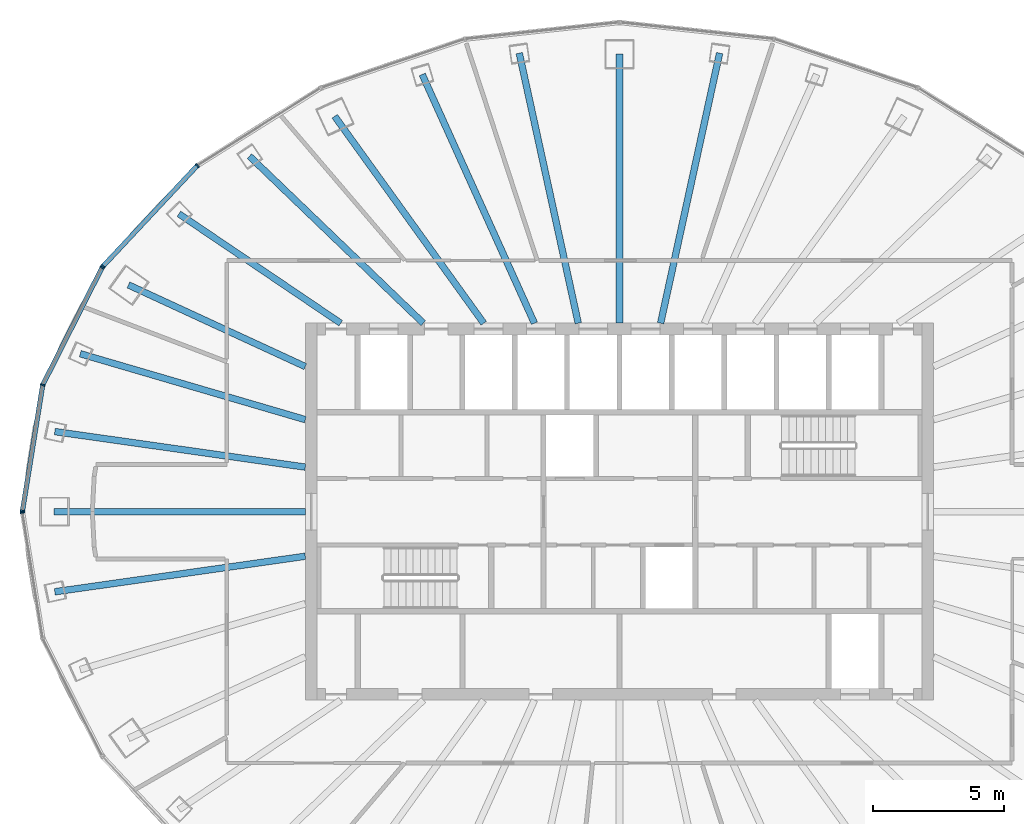
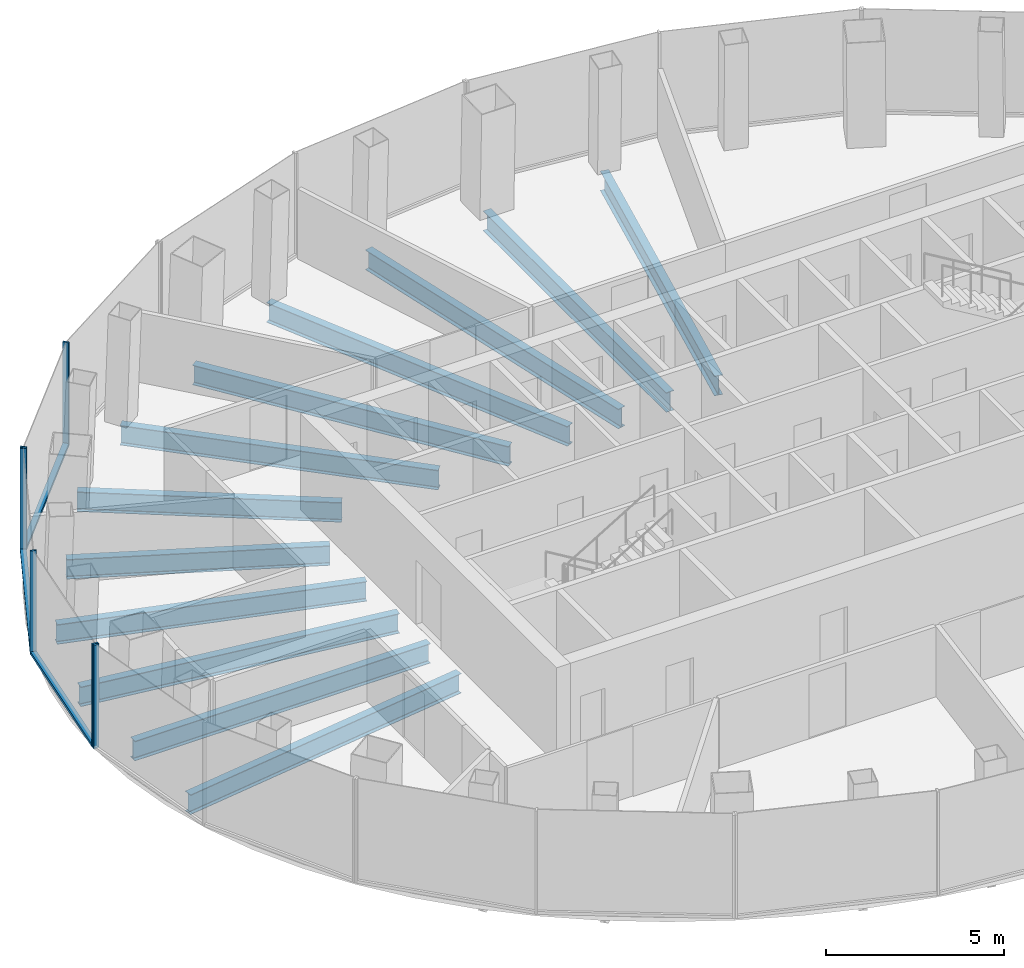
# One storey, part 4 of 11: 12 beams, 9 members, 3 elements without a shape of their own.
"""IFC4 building model written with IfcOpenShell, lengths in metres."""

from ifc_helpers import new_model, si_unit, direction, frame, origin, origin_2d, place, context, subcontext, project, spatial, rectangle, i_section, extrude, material, layer, layer_set, material_profile, profile_set, type_object, element, aggregate, save


model = new_model("IFC4")

# Units and contexts
model_context = context("Model", 3, precision=1e-05, world=origin(), true_north=direction((0.0, 1.0)))
body_context = subcontext(model_context, "Body", "Model", "MODEL_VIEW")
ifc_project = project(units=[si_unit("LENGTHUNIT", "METRE"), si_unit("AREAUNIT", "SQUARE_METRE"), si_unit("VOLUMEUNIT", "CUBIC_METRE"), si_unit("PLANEANGLEUNIT", "RADIAN"), si_unit("MASSUNIT", "GRAM", prefix="KILO")], contexts=[model_context])

# Site, building, storey
site_placement = place(None, origin())
site = spatial("IfcSite", under=ifc_project, at=site_placement, CompositionType="ELEMENT")
building_placement = place(site_placement, origin())
building = spatial("IfcBuilding", under=site, at=building_placement, Name="Siaravel Broadcast Tower", CompositionType="ELEMENT")
storey_placement = place(building_placement, frame((0.0, 0.0, 197.800048828125)))
storey = spatial("IfcBuildingStorey", under=building, at=storey_placement, Name="L48", CompositionType="ELEMENT", Elevation=197.800048828125)

# Beams
ifc_material_1 = material(Name="Steel S355", Category="steel")
ifc_material_profile_1 = material_profile(ifc_material_1, i_section(OverallWidth=0.2529296875, OverallDepth=0.677978515625, WebThickness=0.01171875, FlangeThickness=0.01611328125, FilletRadius=0.01513671875, at=origin_2d()))
ifc_profile_set_1 = profile_set([ifc_material_profile_1], Name="Steel S355")
beam_type = type_object("IfcBeamType", Name="BM-UB 686x254x125", PredefinedType="BEAM", material=ifc_profile_set_1)
beam_1_placement = place(storey_placement, frame((3.826904296875, 17.5166015625, -0.489013671875), z_axis=(-0.213438313, -0.976956543, 0.0), x_axis=(0.976956543, -0.213438313, 0.0)))
element("IfcBeam", 1, at=beam_1_placement, inside=storey, type_object=beam_type, Name="Radial beam RB09", PredefinedType="BEAM", context=body_context, shape_type="SweptSolid", body=[
    extrude(i_section(OverallWidth=0.2529296875, OverallDepth=0.677978515625, WebThickness=0.01171875, FlangeThickness=0.01611328125, FilletRadius=0.01513671875, at=origin_2d()), origin(), (0.0, 0.0, 1.0), 10.56005859375),
])
beam_2_placement = place(storey_placement, frame((0.0, 17.49072265625, -0.489013671875), z_axis=(0.0, -1.0, 0.0), x_axis=(1.0, 0.0, 0.0)))
element("IfcBeam", 2, at=beam_2_placement, inside=storey, type_object=beam_type, Name="Radial beam RB10", PredefinedType="BEAM", context=body_context, shape_type="SweptSolid", body=[
    extrude(i_section(OverallWidth=0.2529296875, OverallDepth=0.677978515625, WebThickness=0.01171875, FlangeThickness=0.01611328125, FilletRadius=0.01513671875, at=origin_2d()), origin(), (0.0, 0.0, 1.0), 10.290771484375),
])
beam_3_placement = place(storey_placement, frame((-3.826904296875, 17.5166015625, -0.489013671875), z_axis=(0.213438313, -0.976956543, 0.0), x_axis=(0.976956543, 0.213438313, 0.0)))
element("IfcBeam", 3, at=beam_3_placement, inside=storey, type_object=beam_type, Name="Radial beam RB11", PredefinedType="BEAM", context=body_context, shape_type="SweptSolid", body=[
    extrude(i_section(OverallWidth=0.2529296875, OverallDepth=0.677978515625, WebThickness=0.01171875, FlangeThickness=0.01611328125, FilletRadius=0.01513671875, at=origin_2d()), origin(), (0.0, 0.0, 1.0), 10.56005859375),
])
beam_4_placement = place(storey_placement, frame((-7.533935546875, 16.702880859375, -0.489013671875), z_axis=(0.411166898, -0.911560081, 0.0), x_axis=(0.911560081, 0.411166898, 0.0)))
element("IfcBeam", 4, at=beam_4_placement, inside=storey, type_object=beam_type, Name="Radial beam RB12", PredefinedType="BEAM", context=body_context, shape_type="SweptSolid", body=[
    extrude(i_section(OverallWidth=0.2529296875, OverallDepth=0.677978515625, WebThickness=0.01171875, FlangeThickness=0.01611328125, FilletRadius=0.01513671875, at=origin_2d()), origin(), (0.0, 0.0, 1.0), 10.4248046875),
])
beam_5_placement = place(storey_placement, frame((-10.8779296875, 15.105712890625, -0.489013671875), z_axis=(0.58437008, -0.811487282, 0.0), x_axis=(0.811487282, 0.58437008, 0.0)))
element("IfcBeam", 5, at=beam_5_placement, inside=storey, type_object=beam_type, Name="Radial beam RB13", PredefinedType="BEAM", context=body_context, shape_type="SweptSolid", body=[
    extrude(i_section(OverallWidth=0.2529296875, OverallDepth=0.677978515625, WebThickness=0.01171875, FlangeThickness=0.01611328125, FilletRadius=0.01513671875, at=origin_2d()), origin(), (0.0, 0.0, 1.0), 9.742431640625),
])
beam_6_placement = place(storey_placement, frame((-14.1357421875, 13.58203125, -0.489013671875), z_axis=(0.721092248, -0.692839065, 0.0), x_axis=(0.692839065, 0.721092248, 0.0)))
element("IfcBeam", 6, at=beam_6_placement, inside=storey, type_object=beam_type, Name="Radial beam RB14", PredefinedType="BEAM", context=body_context, shape_type="SweptSolid", body=[
    extrude(i_section(OverallWidth=0.2529296875, OverallDepth=0.677978515625, WebThickness=0.01171875, FlangeThickness=0.01611328125, FilletRadius=0.01513671875, at=origin_2d()), origin(), (0.0, 0.0, 1.0), 9.21142578125),
])
beam_7_placement = place(storey_placement, frame((-16.827392578125, 11.37744140625, -0.489013671875), z_axis=(0.828411629, -0.560119784, 0.0), x_axis=(0.560119784, 0.828411629, 0.0)))
element("IfcBeam", 7, at=beam_7_placement, inside=storey, type_object=beam_type, Name="Radial beam RB15", PredefinedType="BEAM", context=body_context, shape_type="SweptSolid", body=[
    extrude(i_section(OverallWidth=0.2529296875, OverallDepth=0.677978515625, WebThickness=0.01171875, FlangeThickness=0.01611328125, FilletRadius=0.01513671875, at=origin_2d()), origin(), (0.0, 0.0, 1.0), 7.458251953125),
])
beam_8_placement = place(storey_placement, frame((-18.75634765625, 8.66162109375, -0.489013671875), z_axis=(0.907867186, -0.419257883, 0.0), x_axis=(0.419257883, 0.907867186, 0.0)))
element("IfcBeam", 8, at=beam_8_placement, inside=storey, type_object=beam_type, Name="Radial beam RB16", PredefinedType="BEAM", context=body_context, shape_type="SweptSolid", body=[
    extrude(i_section(OverallWidth=0.2529296875, OverallDepth=0.677978515625, WebThickness=0.01171875, FlangeThickness=0.01611328125, FilletRadius=0.01513671875, at=origin_2d()), origin(), (0.0, 0.0, 1.0), 7.44189453125),
])
beam_9_placement = place(storey_placement, frame((-20.596435546875, 6.03369140625, -0.489013671875), z_axis=(0.959668741, -0.281133256, 0.0), x_axis=(0.281133256, 0.959668741, 0.0)))
element("IfcBeam", 9, at=beam_9_placement, inside=storey, type_object=beam_type, Name="Radial beam RB17", PredefinedType="BEAM", context=body_context, shape_type="SweptSolid", body=[
    extrude(i_section(OverallWidth=0.2529296875, OverallDepth=0.677978515625, WebThickness=0.01171875, FlangeThickness=0.01611328125, FilletRadius=0.01513671875, at=origin_2d()), origin(), (0.0, 0.0, 1.0), 8.957763671875),
])
beam_10_placement = place(storey_placement, frame((-21.5693359375, 3.059814453125, -0.489013671875), z_axis=(0.990088447, -0.140445244, 0.0), x_axis=(0.140445244, 0.990088447, 0.0)))
element("IfcBeam", 10, at=beam_10_placement, inside=storey, type_object=beam_type, Name="Radial beam RB18", PredefinedType="BEAM", context=body_context, shape_type="SweptSolid", body=[
    extrude(i_section(OverallWidth=0.2529296875, OverallDepth=0.677978515625, WebThickness=0.01171875, FlangeThickness=0.01611328125, FilletRadius=0.01513671875, at=origin_2d()), origin(), (0.0, 0.0, 1.0), 9.6650390625),
])
beam_11_placement = place(storey_placement, frame((-21.59619140625, 0.0, -0.489013671875), z_axis=(1.0, 0.0, 0.0), x_axis=(0.0, 1.0, 0.0)))
element("IfcBeam", 11, at=beam_11_placement, inside=storey, type_object=beam_type, Name="Radial beam RB19", PredefinedType="BEAM", context=body_context, shape_type="SweptSolid", body=[
    extrude(i_section(OverallWidth=0.2529296875, OverallDepth=0.677978515625, WebThickness=0.01171875, FlangeThickness=0.01611328125, FilletRadius=0.01513671875, at=origin_2d()), origin(), (0.0, 0.0, 1.0), 9.59619140625),
])
beam_12_placement = place(storey_placement, frame((-21.5693359375, -3.059814453125, -0.489013671875), z_axis=(0.990088447, 0.140445244, 0.0), x_axis=(-0.140445244, 0.990088447, 0.0)))
element("IfcBeam", 12, at=beam_12_placement, inside=storey, type_object=beam_type, Name="Radial beam RB20", PredefinedType="BEAM", context=body_context, shape_type="SweptSolid", body=[
    extrude(i_section(OverallWidth=0.2529296875, OverallDepth=0.677978515625, WebThickness=0.01171875, FlangeThickness=0.01611328125, FilletRadius=0.01513671875, at=origin_2d()), origin(), (0.0, 0.0, 1.0), 9.6650390625),
])

# Curtain wall, members
ifc_material_2 = material(Name="Aluminium 6063-T6", Category="aluminium")
ifc_layer = layer(ifc_material_2, 0.179931640625)
ifc_layer_set = layer_set([ifc_layer], Name="Aluminium 6063-T6")
curtain_wall_type = type_object("IfcCurtainWallType", Name="Unitised curtain wall, zone 3", PredefinedType="NOTDEFINED", material=ifc_layer_set)
curtain_wall_1_placement = place(storey_placement, origin())
curtain_wall_1 = element("IfcCurtainWall", 13, at=curtain_wall_1_placement, inside=storey, type_object=curtain_wall_type, Name="L48 Unitised curtain wall, zone 3 05", PredefinedType="NOTDEFINED")
ifc_material_profile_2 = material_profile(ifc_material_2, rectangle(XDim=0.179931640625, YDim=0.06005859375, at=origin_2d()))
ifc_profile_set_2 = profile_set([ifc_material_profile_2], Name="Aluminium 6063-T6")
member_type_1 = type_object("IfcMemberType", Name="CW-Z3 mullion", PredefinedType="MULLION", material=ifc_profile_set_2)
member_1_placement = place(storey_placement, frame((-16.12548828125, 13.221435546875, 0.0), z_axis=(0.0, 0.0, 1.0), x_axis=(0.636218507, -0.771508918, 0.0)))
member_1 = element("IfcMember", 14, at=member_1_placement, type_object=member_type_1, Name="CW-Z3 mullion 2", PredefinedType="MULLION", context=body_context, shape_type="SweptSolid", body=[
    extrude(rectangle(XDim=0.179931640625, YDim=0.06005859375, at=origin_2d()), origin(), (0.0, 0.0, 1.0), 3.550048828125),
])
member_2_placement = place(storey_placement, frame((-19.7314453125, 9.372314453125, 0.0), z_axis=(0.0, 0.0, 1.0), x_axis=(0.729805157, -0.6836552, 0.0)))
member_2 = element("IfcMember", 15, at=member_2_placement, type_object=member_type_1, Name="CW-Z3 mullion 3", PredefinedType="MULLION", context=body_context, shape_type="SweptSolid", body=[
    extrude(rectangle(XDim=0.179931640625, YDim=0.06005859375, at=origin_2d()), origin(), (0.0, 0.0, 1.0), 3.550048828125),
])

curtain_wall_2_placement = place(storey_placement, origin())
curtain_wall_2 = element("IfcCurtainWall", 16, at=curtain_wall_2_placement, inside=storey, type_object=curtain_wall_type, Name="L48 Unitised curtain wall, zone 3 06", PredefinedType="NOTDEFINED")
member_3_placement = place(storey_placement, frame((-19.765380859375, 9.323486328125, 0.0), z_axis=(0.0, 0.0, 1.0), x_axis=(0.892392092, -0.45126085, 0.0)))
member_3 = element("IfcMember", 17, at=member_3_placement, type_object=member_type_1, Name="CW-Z3 mullion 1", PredefinedType="MULLION", context=body_context, shape_type="SweptSolid", body=[
    extrude(rectangle(XDim=0.179931640625, YDim=0.06005859375, at=origin_2d()), origin(), (0.0, 0.0, 1.0), 3.550048828125),
])
member_4_placement = place(storey_placement, frame((-22.0322265625, 4.8408203125, 0.0), z_axis=(0.0, 0.0, 1.0), x_axis=(0.951177224, -0.308645247, 0.0)))
member_4 = element("IfcMember", 18, at=member_4_placement, type_object=member_type_1, Name="CW-Z3 mullion 2", PredefinedType="MULLION", context=body_context, shape_type="SweptSolid", body=[
    extrude(rectangle(XDim=0.179931640625, YDim=0.06005859375, at=origin_2d()), origin(), (0.0, 0.0, 1.0), 3.550048828125),
])
member_5_placement = place(storey_placement, frame((-22.805419921875, 0.029541015625, 0.0), z_axis=(0.0, 0.0, 1.0), x_axis=(0.987329188, -0.158685461, 0.0)))
member_5 = element("IfcMember", 19, at=member_5_placement, type_object=member_type_1, Name="CW-Z3 mullion 3", PredefinedType="MULLION", context=body_context, shape_type="SweptSolid", body=[
    extrude(rectangle(XDim=0.179931640625, YDim=0.06005859375, at=origin_2d()), origin(), (0.0, 0.0, 1.0), 3.550048828125),
])

# Curtain wall, member
curtain_wall_3_placement = place(storey_placement, origin())
curtain_wall_3 = element("IfcCurtainWall", 20, at=curtain_wall_3_placement, inside=storey, type_object=curtain_wall_type, Name="L48 Unitised curtain wall, zone 3 07", PredefinedType="NOTDEFINED")
member_6_placement = place(storey_placement, frame((-22.805419921875, -0.029541015625, 0.0), z_axis=(0.0, 0.0, 1.0), x_axis=(0.987329188, 0.158685461, 0.0)))
member_6 = element("IfcMember", 21, at=member_6_placement, type_object=member_type_1, Name="CW-Z3 mullion 1", PredefinedType="MULLION", context=body_context, shape_type="SweptSolid", body=[
    extrude(rectangle(XDim=0.179931640625, YDim=0.06005859375, at=origin_2d()), origin(), (0.0, 0.0, 1.0), 3.550048828125),
])
aggregate(curtain_wall_3, [member_6])

# Member
ifc_material_profile_3 = material_profile(ifc_material_2, rectangle(XDim=0.179931640625, YDim=0.10009765625, at=origin_2d()))
ifc_profile_set_3 = profile_set([ifc_material_profile_3], Name="Aluminium 6063-T6")
member_type_2 = type_object("IfcMemberType", Name="CW-Z3 transom", PredefinedType="USERDEFINED", material=ifc_profile_set_3)
member_7_placement = place(storey_placement, frame((-16.146240234375, 13.199462890625, 0.050048828125), z_axis=(-0.683645131, -0.72981459, 0.0), x_axis=(0.72981459, -0.683645131, 0.0)))
member_7 = element("IfcMember", 22, at=member_7_placement, type_object=member_type_2, Name="CW-Z3 transom 2", ObjectType="TRANSOM", PredefinedType="USERDEFINED", context=body_context, shape_type="SweptSolid", body=[
    extrude(rectangle(XDim=0.179931640625, YDim=0.10009765625, at=origin_2d()), origin(), (0.0, 0.0, 1.0), 5.2138671875),
])

aggregate(curtain_wall_1, [member_1, member_2, member_7])

member_8_placement = place(storey_placement, frame((-19.77880859375, 9.296875, 0.050048828125), z_axis=(-0.45128156, -0.892381619, 0.0), x_axis=(0.892381619, -0.45128156, 0.0)))
member_8 = element("IfcMember", 23, at=member_8_placement, type_object=member_type_2, Name="CW-Z3 transom 1", ObjectType="TRANSOM", PredefinedType="USERDEFINED", context=body_context, shape_type="SweptSolid", body=[
    extrude(rectangle(XDim=0.179931640625, YDim=0.10009765625, at=origin_2d()), origin(), (0.0, 0.0, 1.0), 4.963623046875),
])

member_9_placement = place(storey_placement, frame((-22.037109375, 4.81103515625, 0.050048828125), z_axis=(-0.158671031, -0.987331507, 0.0), x_axis=(0.987331507, -0.158671031, 0.0)))
member_9 = element("IfcMember", 24, at=member_9_placement, type_object=member_type_2, Name="CW-Z3 transom 2", ObjectType="TRANSOM", PredefinedType="USERDEFINED", context=body_context, shape_type="SweptSolid", body=[
    extrude(rectangle(XDim=0.179931640625, YDim=0.10009765625, at=origin_2d()), origin(), (0.0, 0.0, 1.0), 4.81298828125),
])

aggregate(curtain_wall_2, [member_3, member_4, member_5, member_8, member_9])

save(model, "model.ifc")
